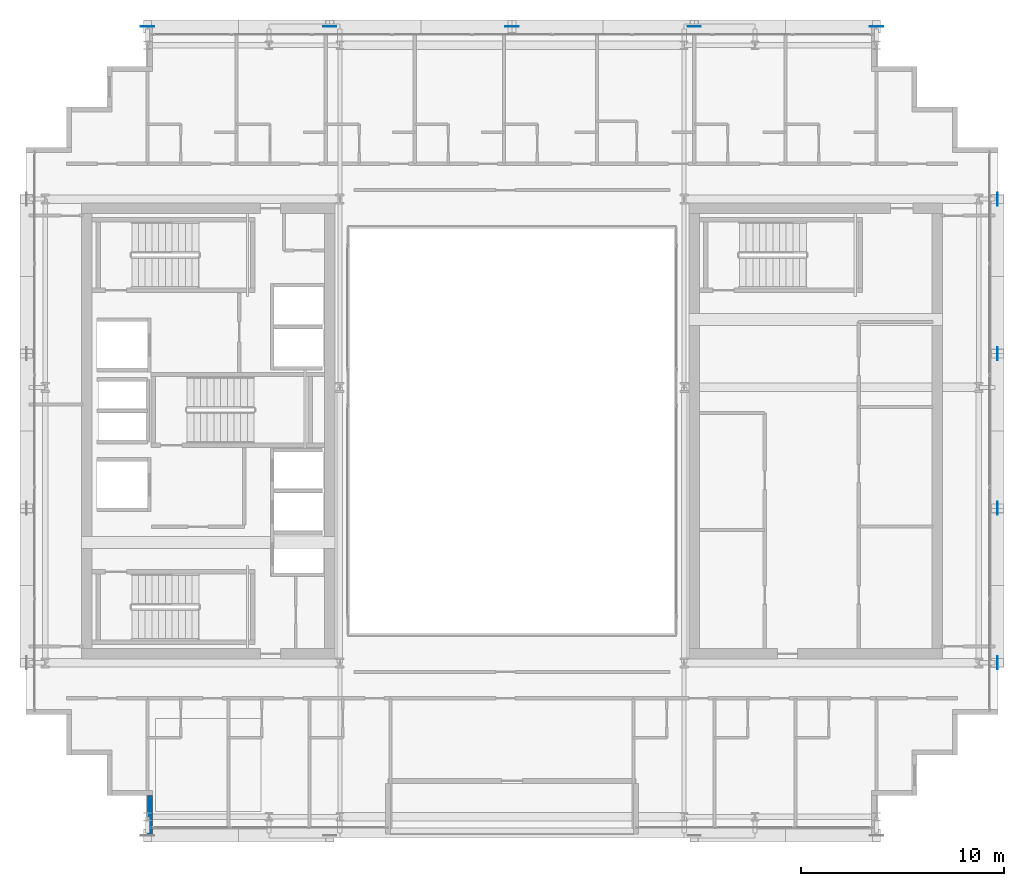
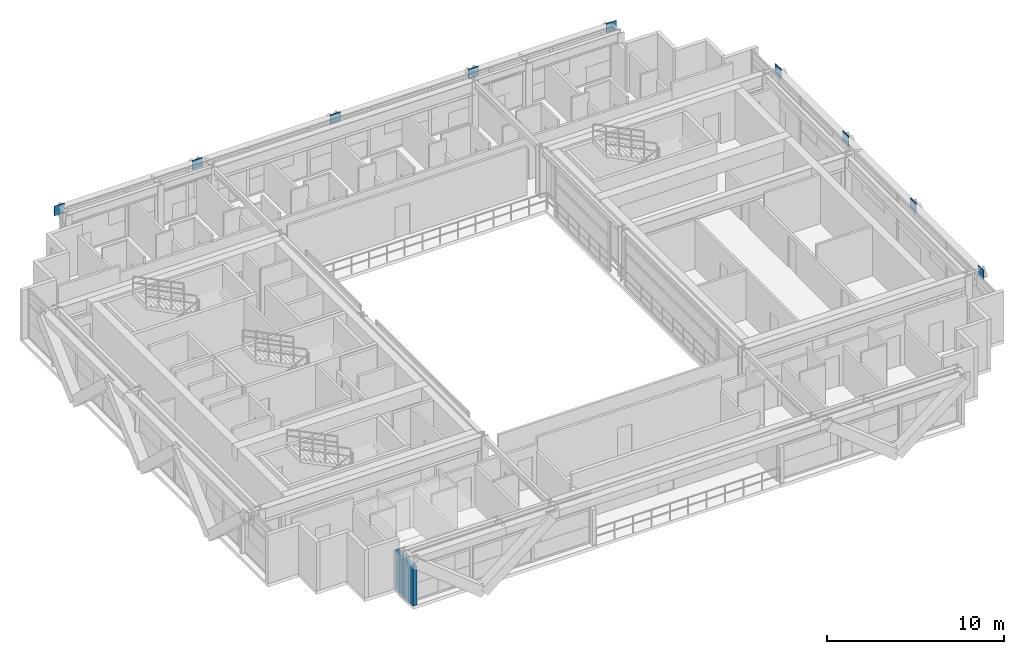
# One storey, part 28 of 38: 9 plates, 1 wall.
"""IFC4 building model written with IfcOpenShell, lengths in metres."""

from ifc_helpers import new_model, si_unit, direction, frame, frame_2d, origin, origin_2d, place, context, subcontext, project, spatial, rectangle, extrude, source, transform, mapped, material, layer, layer_set, type_object, element, save


model = new_model("IFC4")

# Units and contexts
model_context = context("Model", 3, precision=1e-05, world=origin(), true_north=direction((0.0, 1.0)))
body_context = subcontext(model_context, "Body", "Model", "MODEL_VIEW")
ifc_project = project(units=[si_unit("LENGTHUNIT", "METRE"), si_unit("AREAUNIT", "SQUARE_METRE"), si_unit("VOLUMEUNIT", "CUBIC_METRE"), si_unit("PLANEANGLEUNIT", "RADIAN"), si_unit("MASSUNIT", "GRAM", prefix="KILO")], contexts=[model_context])

# Site, building, storey
site_placement = place(None, origin())
site = spatial("IfcSite", under=ifc_project, at=site_placement, CompositionType="ELEMENT")
building_placement = place(site_placement, origin())
building = spatial("IfcBuilding", under=site, at=building_placement, Name="Ocotamira Hotel", CompositionType="ELEMENT")
storey_placement = place(building_placement, frame((0.0, 0.0, 170.39990234375)))
storey = spatial("IfcBuildingStorey", under=building, at=storey_placement, Name="L42", CompositionType="ELEMENT", Elevation=170.39990234375)

# Plates
ifc_material_1 = material(Name="Pale-metal coated steel ASTM A572 Grade 50", Category="steel")
ifc_layer_1 = layer(ifc_material_1, 0.0400390625)
ifc_layer_set_1 = layer_set([ifc_layer_1], Name="Pale-metal coated steel ASTM A572 Grade 50")
plate_type = type_object("IfcPlateType", Name="PLT-GUSSET-40", PredefinedType="SHEET", material=ifc_layer_set_1)
shared_shape_1 = source(origin(), body_context, "Body", "SweptSolid", [
    extrude(rectangle(XDim=0.64990234375, YDim=0.0400390625, at=origin_2d()), origin(), (0.0, 0.0, 1.0), 0.64990234375),
])
for number, where, z_axis, x_axis, name in (
    (1, (14.0, 45.969970703125, 2.795166015625), (0.0, 0.0, 1.0), (-1.0, 0.0, 0.0), "L42 Exoskeleton Diagrid N0.1 End Gusset B"),
    (2, (23.0, 45.969970703125, 2.795166015625), (0.0, 0.0, 1.0), (1.0, 0.0, 0.0), "L42 Exoskeleton Diagrid N0.2 End Gusset B"),
    (3, (32.0, 45.969970703125, 2.795166015625), (0.0, 0.0, 1.0), (1.0, 0.0, 0.0), "L42 Exoskeleton Diagrid N1.2 End Gusset B"),
    (4, (41.0, 45.969970703125, 2.795166015625), (0.0, 0.0, 1.0), (1.0, 0.0, 0.0), "L42 Exoskeleton Diagrid N2.2 End Gusset B"),
    (5, (50.0, 45.969970703125, 2.795166015625), (0.0, 0.0, 1.0), (1.0, 0.0, 0.0), "L42 Exoskeleton Diagrid N3.2 End Gusset B"),
):
    element("IfcPlate", number, at=place(storey_placement, frame(where, z_axis=z_axis, x_axis=x_axis)), inside=storey, type_object=plate_type, Name=name, PredefinedType="SHEET", context=body_context, shape_type="MappedRepresentation", body=[
        mapped(shared_shape_1, transform((0.0, 0.0, 0.0), scale=1.0)),
    ])
shared_shape_2 = source(origin(), body_context, "Body", "SweptSolid", [
    extrude(rectangle(XDim=0.0400390625, YDim=0.64990234375, at=origin_2d()), origin(), (0.0, 0.0, 1.0), 0.64990234375),
])
for number, where, z_axis, x_axis, name in (
    (6, (55.969970703125, 14.550048828125, 2.795166015625), (0.0, 0.0, 1.0), (1.0, 0.0, 0.0), "L42 Exoskeleton Diagrid E0.1 End Gusset B"),
    (7, (55.969970703125, 22.183349609375, 2.795166015625), (0.0, 0.0, 1.0), (1.0, 0.0, 0.0), "L42 Exoskeleton Diagrid E0.2 End Gusset B"),
    (8, (55.969970703125, 29.816650390625, 2.795166015625), (0.0, 0.0, 1.0), (1.0, 0.0, 0.0), "L42 Exoskeleton Diagrid E1.2 End Gusset B"),
    (9, (55.969970703125, 37.449951171875, 2.795166015625), (0.0, 0.0, 1.0), (1.0, 0.0, 0.0), "L42 Exoskeleton Diagrid E2.2 End Gusset B"),
):
    element("IfcPlate", number, at=place(storey_placement, frame(where, z_axis=z_axis, x_axis=x_axis)), inside=storey, type_object=plate_type, Name=name, PredefinedType="SHEET", context=body_context, shape_type="MappedRepresentation", body=[
        mapped(shared_shape_2, transform((0.0, 0.0, 0.0), scale=1.0)),
    ])

# Wall
ifc_material_2 = material(Name="Precast concrete C45/55", Category="concrete")
ifc_layer_2 = layer(ifc_material_2, 0.25)
ifc_layer_set_2 = layer_set([ifc_layer_2], Name="Precast concrete C45/55")
wall_type = type_object("IfcWallType", Name="WL-EXT-SER-250", PredefinedType="SOLIDWALL", material=ifc_layer_set_2)
wall_placement = place(storey_placement, frame((14.125, 8.0, 0.0), z_axis=(0.0, 0.0, 1.0), x_axis=(0.0, -1.0, 0.0)))
element("IfcWall", 10, at=wall_placement, inside=storey, type_object=wall_type, Name="L42 Serrated Corner Wall 24", PredefinedType="SOLIDWALL", context=body_context, shape_type="SweptSolid", body=[
    extrude(rectangle(XDim=2.0, YDim=0.25, at=frame_2d((1.0, 0.0))), origin(), (0.0, 0.0, 1.0), 2.677001953125),
])

save(model, "model.ifc")
